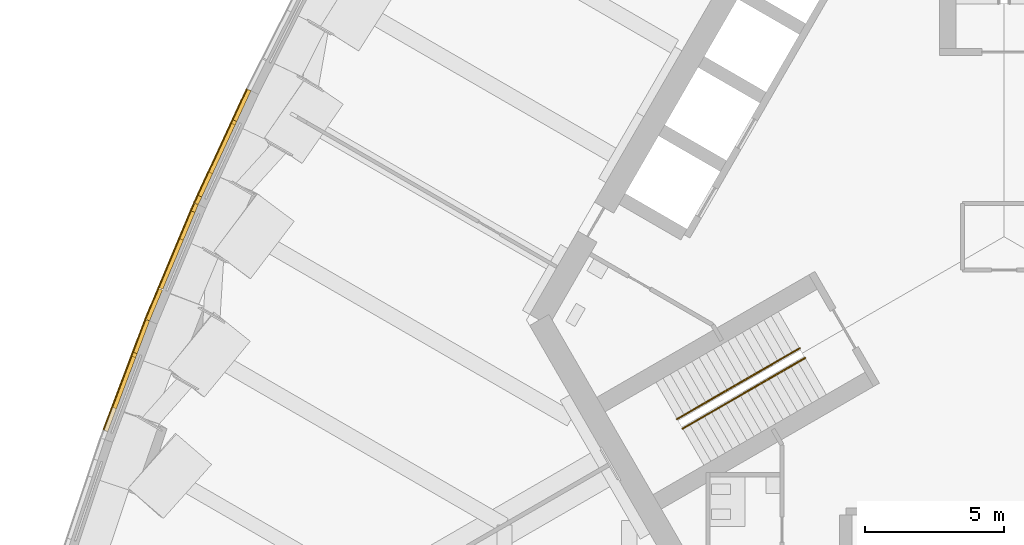
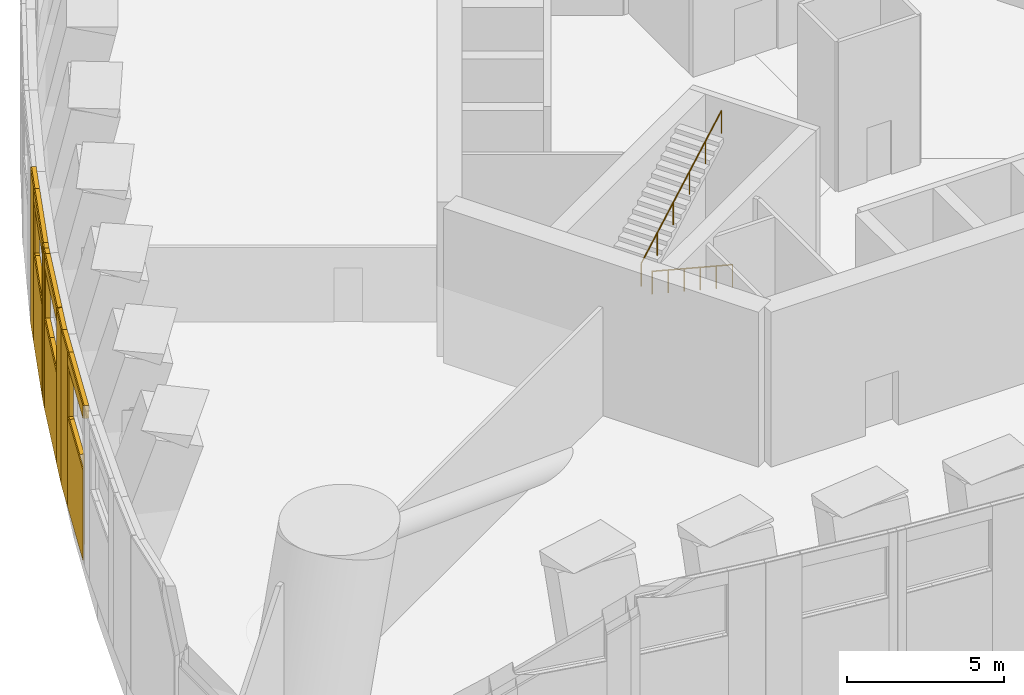
# One storey, part 13 of 25: 26 coverings, 2 railings.
"""IFC4 building model written with IfcOpenShell, lengths in metres."""

from ifc_helpers import new_model, si_unit, direction, frame, origin, origin_2d, place, context, subcontext, project, spatial, rectangle, circle, extrude, material, layer, layer_set, type_object, element, save


model = new_model("IFC4")

# Units and contexts
model_context = context("Model", 3, precision=1e-05, world=origin(), true_north=direction((0.0, 1.0)))
body_context = subcontext(model_context, "Body", "Model", "MODEL_VIEW")
ifc_project = project(units=[si_unit("LENGTHUNIT", "METRE"), si_unit("AREAUNIT", "SQUARE_METRE"), si_unit("VOLUMEUNIT", "CUBIC_METRE"), si_unit("PLANEANGLEUNIT", "RADIAN"), si_unit("MASSUNIT", "GRAM", prefix="KILO")], contexts=[model_context])

# Site, building, storey
site_placement = place(None, origin())
site = spatial("IfcSite", under=ifc_project, at=site_placement, CompositionType="ELEMENT")
building_placement = place(site_placement, origin())
building = spatial("IfcBuilding", under=site, at=building_placement, Name="Trefoil Bronze Tower", CompositionType="ELEMENT")
storey_placement = place(building_placement, frame((0.0, 0.0, 178.699951171875)))
storey = spatial("IfcBuildingStorey", under=building, at=storey_placement, Name="L41", CompositionType="ELEMENT", Elevation=178.699951171875)

# Coverings
ifc_material_1 = material(Name="Bronze-finish aluminium rainscreen panel on aluminium rails", Category="aluminium")
ifc_layer_1 = layer(ifc_material_1, 0.0400390625)
ifc_layer_set_1 = layer_set([ifc_layer_1], Name="Bronze cladding panel 40")
covering_type_1 = type_object("IfcCoveringType", Name="Bronze cladding panel 40", PredefinedType="CLADDING", material=ifc_layer_set_1)
covering_1_placement = place(storey_placement, frame((-27.541259765625, 4.774658203125, 0.0), z_axis=(0.0, 0.0, 1.0), x_axis=(-0.419932995776, -0.907555110756, 0.0)))
element("IfcCovering", 1, at=covering_1_placement, inside=storey, type_object=covering_type_1, Name="Cladding panel L41 Face 3.10 piece 1", PredefinedType="CLADDING", context=body_context, shape_type="SweptSolid", body=[
    extrude(rectangle(XDim=1.21826171875, YDim=0.0400390625, at=origin_2d()), origin(), (0.0, 0.0, 1.0), 6.0),
])
covering_2_placement = place(storey_placement, frame((-29.119873046875, 1.363037109375, 0.0), z_axis=(0.0, 0.0, 1.0), x_axis=(-0.419932995776, -0.907555110756, 0.0)))
element("IfcCovering", 2, at=covering_2_placement, inside=storey, type_object=covering_type_1, Name="Cladding panel L41 Face 3.10 piece 2", PredefinedType="CLADDING", context=body_context, shape_type="SweptSolid", body=[
    extrude(rectangle(XDim=0.300048828125, YDim=0.0400390625, at=origin_2d()), origin(), (0.0, 0.0, 1.0), 6.0),
])
covering_3_placement = place(storey_placement, frame((-28.427001953125, 2.860595703125, 0.0), z_axis=(0.0, 0.0, 1.0), x_axis=(-0.419932995776, -0.907555110756, 0.0)))
element("IfcCovering", 3, at=covering_3_placement, inside=storey, type_object=covering_type_1, Name="Cladding panel L41 Face 3.10 piece 3", PredefinedType="CLADDING", context=body_context, shape_type="SweptSolid", body=[
    extrude(rectangle(XDim=3.0, YDim=0.0400390625, at=origin_2d()), origin(), (0.0, 0.0, 1.0), 3.5),
])
covering_4_placement = place(storey_placement, frame((-28.427001953125, 2.860595703125, 5.5), z_axis=(0.0, 0.0, 1.0), x_axis=(-0.419932995776, -0.907555110756, 0.0)))
element("IfcCovering", 4, at=covering_4_placement, inside=storey, type_object=covering_type_1, Name="Cladding panel L41 Face 3.10 piece 4", PredefinedType="CLADDING", context=body_context, shape_type="SweptSolid", body=[
    extrude(rectangle(XDim=3.0, YDim=0.0400390625, at=origin_2d()), origin(), (0.0, 0.0, 1.0), 0.5),
])
covering_5_placement = place(storey_placement, frame((-29.245361328125, 1.077880859375, 0.0), z_axis=(0.0, 0.0, 1.0), x_axis=(-0.386759234303, -0.922180727776, 0.0)))
element("IfcCovering", 5, at=covering_5_placement, inside=storey, type_object=covering_type_1, Name="Cladding panel L41 Face 3.11 piece 1", PredefinedType="CLADDING", context=body_context, shape_type="SweptSolid", body=[
    extrude(rectangle(XDim=0.300048828125, YDim=0.0400390625, at=origin_2d()), origin(), (0.0, 0.0, 1.0), 6.0),
])
covering_6_placement = place(storey_placement, frame((-30.702880859375, -2.39697265625, 0.0), z_axis=(0.0, 0.0, 1.0), x_axis=(-0.386759234303, -0.922180727776, 0.0)))
element("IfcCovering", 6, at=covering_6_placement, inside=storey, type_object=covering_type_1, Name="Cladding panel L41 Face 3.11 piece 2", PredefinedType="CLADDING", context=body_context, shape_type="SweptSolid", body=[
    extrude(rectangle(XDim=1.236328125, YDim=0.0400390625, at=origin_2d()), origin(), (0.0, 0.0, 1.0), 6.0),
])
covering_7_placement = place(storey_placement, frame((-29.883544921875, -0.443603515625, 0.0), z_axis=(0.0, 0.0, 1.0), x_axis=(-0.386759234303, -0.922180727776, 0.0)))
element("IfcCovering", 7, at=covering_7_placement, inside=storey, type_object=covering_type_1, Name="Cladding panel L41 Face 3.11 piece 3", PredefinedType="CLADDING", context=body_context, shape_type="SweptSolid", body=[
    extrude(rectangle(XDim=3.0, YDim=0.0400390625, at=origin_2d()), origin(), (0.0, 0.0, 1.0), 3.5),
])
covering_8_placement = place(storey_placement, frame((-29.883544921875, -0.443603515625, 5.5), z_axis=(0.0, 0.0, 1.0), x_axis=(-0.386759234303, -0.922180727776, 0.0)))
element("IfcCovering", 8, at=covering_8_placement, inside=storey, type_object=covering_type_1, Name="Cladding panel L41 Face 3.11 piece 4", PredefinedType="CLADDING", context=body_context, shape_type="SweptSolid", body=[
    extrude(rectangle(XDim=3.0, YDim=0.0400390625, at=origin_2d()), origin(), (0.0, 0.0, 1.0), 0.5),
])
covering_9_placement = place(storey_placement, frame((-31.168701171875, -3.5673828125, 0.0), z_axis=(0.0, 0.0, 1.0), x_axis=(-0.352919739789, -0.935653598971, 0.0)))
element("IfcCovering", 9, at=covering_9_placement, inside=storey, type_object=covering_type_1, Name="Cladding panel L41 Face 3.12 piece 1", PredefinedType="CLADDING", context=body_context, shape_type="SweptSolid", body=[
    extrude(rectangle(XDim=1.260498046875, YDim=0.0400390625, at=origin_2d()), origin(), (0.0, 0.0, 1.0), 6.0),
])
covering_10_placement = place(storey_placement, frame((-31.92041015625, -5.560546875, 0.0), z_axis=(0.0, 0.0, 1.0), x_axis=(-0.352919739789, -0.935653598971, 0.0)))
element("IfcCovering", 10, at=covering_10_placement, inside=storey, type_object=covering_type_1, Name="Cladding panel L41 Face 3.12 piece 3", PredefinedType="CLADDING", context=body_context, shape_type="SweptSolid", body=[
    extrude(rectangle(XDim=3.0, YDim=0.0400390625, at=origin_2d()), origin(), (0.0, 0.0, 1.0), 3.5),
])
covering_11_placement = place(storey_placement, frame((-31.92041015625, -5.560546875, 5.5), z_axis=(0.0, 0.0, 1.0), x_axis=(-0.352919739789, -0.935653598971, 0.0)))
element("IfcCovering", 11, at=covering_11_placement, inside=storey, type_object=covering_type_1, Name="Cladding panel L41 Face 3.12 piece 4", PredefinedType="CLADDING", context=body_context, shape_type="SweptSolid", body=[
    extrude(rectangle(XDim=3.0, YDim=0.0400390625, at=origin_2d()), origin(), (0.0, 0.0, 1.0), 0.5),
])

# Railings
ifc_material_2 = material(Name="Steel handrail", Category="steel")
railing_type = type_object("IfcRailingType", Name="Handrail 900", PredefinedType="HANDRAIL", material=ifc_material_2)
railing_1_placement = place(storey_placement, frame((-7.166015625, -4.3681640625, 0.166748046875)))
element("IfcRailing", 12, at=railing_1_placement, inside=storey, type_object=railing_type, Name="Handrail ST3 flight 1 L41", PredefinedType="HANDRAIL", context=body_context, shape_type="SweptSolid", body=[
    extrude(circle(Radius=0.02392578125, at=origin_2d()), frame((0.0, 0.0, 0.8759765625), z_axis=(-0.757046119685, -0.437087320773, 0.485629330548), x_axis=(0.500005610874, -0.86602216432, 0.0)), (0.0, 0.0, 1.0), 5.834228515625),
    extrude(circle(Radius=0.02099609375, at=origin_2d()), origin(), (0.0, 0.0, 1.0), 0.851806640625),
    extrude(circle(Radius=0.02099609375, at=origin_2d()), frame((-0.88330078125, -0.510009765625, 0.566650390625)), (0.0, 0.0, 1.0), 0.851806640625),
    extrude(circle(Radius=0.02099609375, at=origin_2d()), frame((-1.7666015625, -1.02001953125, 1.13330078125)), (0.0, 0.0, 1.0), 0.851806640625),
    extrude(circle(Radius=0.02099609375, at=origin_2d()), frame((-2.650146484375, -1.530029296875, 1.699951171875)), (0.0, 0.0, 1.0), 0.851806640625),
    extrude(circle(Radius=0.02099609375, at=origin_2d()), frame((-3.533447265625, -2.0400390625, 2.2666015625)), (0.0, 0.0, 1.0), 0.851806640625),
    extrude(circle(Radius=0.02099609375, at=origin_2d()), frame((-4.416748046875, -2.550048828125, 2.833251953125)), (0.0, 0.0, 1.0), 0.851806640625),
])
railing_2_placement = place(storey_placement, frame((-11.78271484375, -6.57177734375, 3.166748046875)))
element("IfcRailing", 13, at=railing_2_placement, inside=storey, type_object=railing_type, Name="Handrail ST3 flight 2 L41", PredefinedType="HANDRAIL", context=body_context, shape_type="SweptSolid", body=[
    extrude(circle(Radius=0.02392578125, at=origin_2d()), frame((0.0, 0.0, 0.8759765625), z_axis=(0.757046119685, 0.437087320773, 0.485629330548), x_axis=(-0.500005610874, 0.86602216432, 0.0)), (0.0, 0.0, 1.0), 5.834228515625),
    extrude(circle(Radius=0.02099609375, at=origin_2d()), origin(), (0.0, 0.0, 1.0), 0.851806640625),
    extrude(circle(Radius=0.02099609375, at=origin_2d()), frame((0.88330078125, 0.510009765625, 0.566650390625)), (0.0, 0.0, 1.0), 0.851806640625),
    extrude(circle(Radius=0.02099609375, at=origin_2d()), frame((1.7666015625, 1.02001953125, 1.13330078125)), (0.0, 0.0, 1.0), 0.851806640625),
    extrude(circle(Radius=0.02099609375, at=origin_2d()), frame((2.650146484375, 1.530029296875, 1.699951171875)), (0.0, 0.0, 1.0), 0.851806640625),
    extrude(circle(Radius=0.02099609375, at=origin_2d()), frame((3.533447265625, 2.0400390625, 2.2666015625)), (0.0, 0.0, 1.0), 0.851806640625),
    extrude(circle(Radius=0.02099609375, at=origin_2d()), frame((4.416748046875, 2.550048828125, 2.833251953125)), (0.0, 0.0, 1.0), 0.851806640625),
])

# Coverings
ifc_material_3 = material(Name="Non-combustible mineral wool slab", Category="insulation")
ifc_layer_2 = layer(ifc_material_3, 0.14990234375)
ifc_layer_set_2 = layer_set([ifc_layer_2], Name="Rainscreen insulation 150")
covering_type_2 = type_object("IfcCoveringType", Name="Rainscreen insulation 150", PredefinedType="INSULATION", material=ifc_layer_set_2)
covering_12_placement = place(storey_placement, frame((-27.455078125, 4.73486328125, 0.14013671875), z_axis=(0.0, 0.0, 1.0), x_axis=(-0.419932995776, -0.907555110756, 0.0)))
element("IfcCovering", 14, at=covering_12_placement, inside=storey, type_object=covering_type_2, Name="Insulation L41 Face 3.10 piece 1", PredefinedType="INSULATION", context=body_context, shape_type="SweptSolid", body=[
    extrude(rectangle(XDim=1.21826171875, YDim=0.14990234375, at=origin_2d()), origin(), (0.0, 0.0, 1.0), 5.860107421875),
])
covering_13_placement = place(storey_placement, frame((-29.03369140625, 1.3232421875, 0.14501953125), z_axis=(0.0, 0.0, 1.0), x_axis=(-0.419932995776, -0.907555110756, 0.0)))
element("IfcCovering", 15, at=covering_13_placement, inside=storey, type_object=covering_type_2, Name="Insulation L41 Face 3.10 piece 2", PredefinedType="INSULATION", context=body_context, shape_type="SweptSolid", body=[
    extrude(rectangle(XDim=0.300048828125, YDim=0.14990234375, at=origin_2d()), origin(), (0.0, 0.0, 1.0), 5.85498046875),
])
covering_14_placement = place(storey_placement, frame((-27.740234375, 4.118408203125, 0.14501953125), z_axis=(0.0, 0.0, 1.0), x_axis=(-0.419932995776, -0.907555110756, 0.0)))
element("IfcCovering", 16, at=covering_14_placement, inside=storey, type_object=covering_type_2, Name="Insulation L41 Face 3.10 piece 3", PredefinedType="INSULATION", context=body_context, shape_type="SweptSolid", body=[
    extrude(rectangle(XDim=0.139892578125, YDim=0.14990234375, at=origin_2d()), origin(), (0.0, 0.0, 1.0), 3.35498046875),
])
covering_15_placement = place(storey_placement, frame((-28.175048828125, 3.178466796875, 0.0), z_axis=(0.0, 0.0, 1.0), x_axis=(-0.419932995776, -0.907555110756, 0.0)))
element("IfcCovering", 17, at=covering_15_placement, inside=storey, type_object=covering_type_2, Name="Insulation L41 Face 3.10 piece 3 part 2", PredefinedType="INSULATION", context=body_context, shape_type="SweptSolid", body=[
    extrude(rectangle(XDim=1.931396484375, YDim=0.14990234375, at=origin_2d()), origin(), (0.0, 0.0, 1.0), 3.5),
])
covering_16_placement = place(storey_placement, frame((-28.775634765625, 1.880615234375, 0.27001953125), z_axis=(0.0, 0.0, 1.0), x_axis=(-0.419932995776, -0.907555110756, 0.0)))
element("IfcCovering", 18, at=covering_16_placement, inside=storey, type_object=covering_type_2, Name="Insulation L41 Face 3.10 piece 3 part 3", PredefinedType="INSULATION", context=body_context, shape_type="SweptSolid", body=[
    extrude(rectangle(XDim=0.9287109375, YDim=0.14990234375, at=origin_2d()), origin(), (0.0, 0.0, 1.0), 3.22998046875),
])
covering_17_placement = place(storey_placement, frame((-28.340576171875, 2.820556640625, 5.5), z_axis=(0.0, 0.0, 1.0), x_axis=(-0.419932995776, -0.907555110756, 0.0)))
element("IfcCovering", 19, at=covering_17_placement, inside=storey, type_object=covering_type_2, Name="Insulation L41 Face 3.10 piece 4", PredefinedType="INSULATION", context=body_context, shape_type="SweptSolid", body=[
    extrude(rectangle(XDim=3.0, YDim=0.14990234375, at=origin_2d()), origin(), (0.0, 0.0, 1.0), 0.5),
])
covering_18_placement = place(storey_placement, frame((-29.157958984375, 1.041259765625, 0.10986328125), z_axis=(0.0, 0.0, 1.0), x_axis=(-0.386759234303, -0.922180727776, 0.0)))
element("IfcCovering", 20, at=covering_18_placement, inside=storey, type_object=covering_type_2, Name="Insulation L41 Face 3.11 piece 1", PredefinedType="INSULATION", context=body_context, shape_type="SweptSolid", body=[
    extrude(rectangle(XDim=0.300048828125, YDim=0.14990234375, at=origin_2d()), origin(), (0.0, 0.0, 1.0), 5.889892578125),
])
covering_19_placement = place(storey_placement, frame((-30.62109375, -2.447265625, 0.2802734375), z_axis=(0.0, 0.0, 1.0), x_axis=(-0.386759234303, -0.922180727776, 0.0)))
element("IfcCovering", 21, at=covering_19_placement, inside=storey, type_object=covering_type_2, Name="Insulation L41 Face 3.11 piece 2", PredefinedType="INSULATION", context=body_context, shape_type="SweptSolid", body=[
    extrude(rectangle(XDim=1.206298828125, YDim=0.14990234375, at=origin_2d()), origin(), (0.0, 0.0, 1.0), 5.719970703125),
])
covering_20_placement = place(storey_placement, frame((-29.42578125, 0.402587890625, 0.125), z_axis=(0.0, 0.0, 1.0), x_axis=(-0.386759234303, -0.922180727776, 0.0)))
element("IfcCovering", 22, at=covering_20_placement, inside=storey, type_object=covering_type_2, Name="Insulation L41 Face 3.11 piece 3", PredefinedType="INSULATION", context=body_context, shape_type="SweptSolid", body=[
    extrude(rectangle(XDim=1.0849609375, YDim=0.14990234375, at=origin_2d()), origin(), (0.0, 0.0, 1.0), 3.375),
])
covering_21_placement = place(storey_placement, frame((-30.005859375, -0.980712890625, 0.0), z_axis=(0.0, 0.0, 1.0), x_axis=(-0.386759234303, -0.922180727776, 0.0)))
element("IfcCovering", 23, at=covering_21_placement, inside=storey, type_object=covering_type_2, Name="Insulation L41 Face 3.11 piece 3 part 2", PredefinedType="INSULATION", context=body_context, shape_type="SweptSolid", body=[
    extrude(rectangle(XDim=1.9150390625, YDim=0.14990234375, at=origin_2d()), origin(), (0.0, 0.0, 1.0), 3.5),
])
covering_22_placement = place(storey_placement, frame((-29.7958984375, -0.48046875, 5.5), z_axis=(0.0, 0.0, 1.0), x_axis=(-0.386759234303, -0.922180727776, 0.0)))
element("IfcCovering", 24, at=covering_22_placement, inside=storey, type_object=covering_type_2, Name="Insulation L41 Face 3.11 piece 4", PredefinedType="INSULATION", context=body_context, shape_type="SweptSolid", body=[
    extrude(rectangle(XDim=3.0, YDim=0.14990234375, at=origin_2d()), origin(), (0.0, 0.0, 1.0), 0.5),
])
covering_23_placement = place(storey_placement, frame((-31.079833984375, -3.600830078125, 0.115234375), z_axis=(0.0, 0.0, 1.0), x_axis=(-0.352919739789, -0.935653598971, 0.0)))
element("IfcCovering", 25, at=covering_23_placement, inside=storey, type_object=covering_type_2, Name="Insulation L41 Face 3.12 piece 1", PredefinedType="INSULATION", context=body_context, shape_type="SweptSolid", body=[
    extrude(rectangle(XDim=1.260498046875, YDim=0.14990234375, at=origin_2d()), origin(), (0.0, 0.0, 1.0), 5.885009765625),
])
covering_24_placement = place(storey_placement, frame((-31.32861328125, -4.2607421875, 0.10986328125), z_axis=(0.0, 0.0, 1.0), x_axis=(-0.352919739789, -0.935653598971, 0.0)))
element("IfcCovering", 26, at=covering_24_placement, inside=storey, type_object=covering_type_2, Name="Insulation L41 Face 3.12 piece 3", PredefinedType="INSULATION", context=body_context, shape_type="SweptSolid", body=[
    extrude(rectangle(XDim=0.14990234375, YDim=0.14990234375, at=origin_2d()), origin(), (0.0, 0.0, 1.0), 3.389892578125),
])
covering_25_placement = place(storey_placement, frame((-31.702392578125, -5.25146484375, 0.0), z_axis=(0.0, 0.0, 1.0), x_axis=(-0.352919739789, -0.935653598971, 0.0)))
element("IfcCovering", 27, at=covering_25_placement, inside=storey, type_object=covering_type_2, Name="Insulation L41 Face 3.12 piece 3 part 2", PredefinedType="INSULATION", context=body_context, shape_type="SweptSolid", body=[
    extrude(rectangle(XDim=1.968017578125, YDim=0.14990234375, at=origin_2d()), origin(), (0.0, 0.0, 1.0), 3.5),
])
covering_26_placement = place(storey_placement, frame((-31.83154296875, -5.593994140625, 5.5), z_axis=(0.0, 0.0, 1.0), x_axis=(-0.352919739789, -0.935653598971, 0.0)))
element("IfcCovering", 28, at=covering_26_placement, inside=storey, type_object=covering_type_2, Name="Insulation L41 Face 3.12 piece 4", PredefinedType="INSULATION", context=body_context, shape_type="SweptSolid", body=[
    extrude(rectangle(XDim=3.0, YDim=0.14990234375, at=origin_2d()), origin(), (0.0, 0.0, 1.0), 0.5),
])

save(model, "model.ifc")
